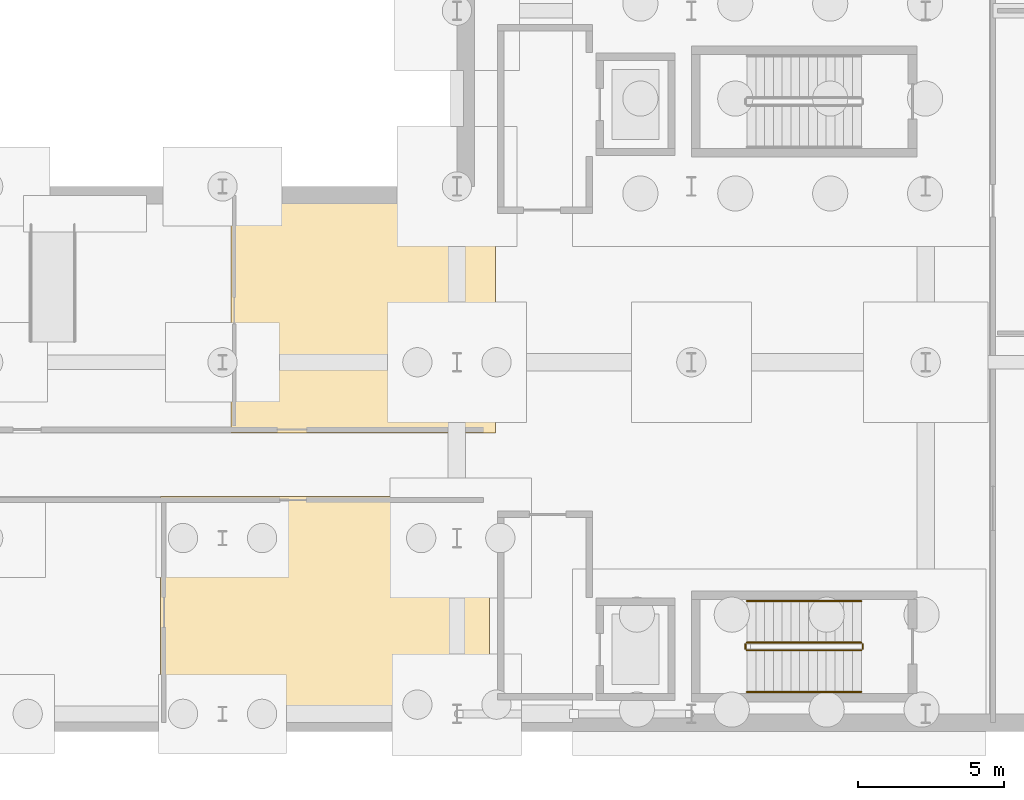
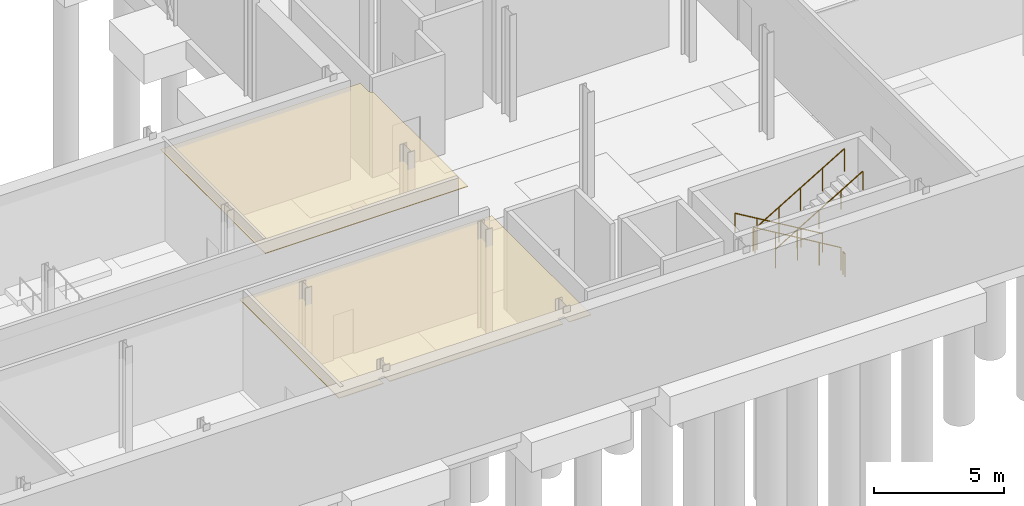
# One storey, part 44 of 47: 6 railings, 2 coverings.
"""IFC4 building model written with IfcOpenShell, lengths in metres."""

from ifc_helpers import new_model, si_unit, direction, frame, origin, origin_2d, place, context, subcontext, project, spatial, polyline, circle, outline, extrude, material, layer, layer_set, type_object, element, save


model = new_model("IFC4")

# Units and contexts
model_context = context("Model", 3, precision=1e-05, world=origin(), true_north=direction((0.0, 1.0)))
body_context = subcontext(model_context, "Body", "Model", "MODEL_VIEW")
ifc_project = project(units=[si_unit("LENGTHUNIT", "METRE"), si_unit("AREAUNIT", "SQUARE_METRE"), si_unit("VOLUMEUNIT", "CUBIC_METRE"), si_unit("PLANEANGLEUNIT", "RADIAN"), si_unit("MASSUNIT", "GRAM", prefix="KILO")], contexts=[model_context])

# Site, building, storey
site_placement = place(None, origin())
site = spatial("IfcSite", under=ifc_project, at=site_placement, CompositionType="ELEMENT")
building_placement = place(site_placement, origin())
building = spatial("IfcBuilding", under=site, at=building_placement, Name="Cymarion Research Institute", CompositionType="ELEMENT")
storey_placement = place(building_placement, frame((0.0, 0.0, -5.0)))
storey = spatial("IfcBuildingStorey", under=building, at=storey_placement, Name="B1", CompositionType="ELEMENT", Elevation=-5.0)

# Coverings
ifc_material_1 = material(Name="Micro-perforated mineral acoustic ceiling tile", Category="gypsum")
ifc_layer = layer(ifc_material_1, 0.030029296875)
ifc_layer_set = layer_set([ifc_layer], Name="Micro-perforated mineral acoustic ceiling tile")
covering_type = type_object("IfcCoveringType", Name="ACOUSTIC MICRO-PERFORATED SUSPENDED CEILING CLG-01", PredefinedType="CEILING", material=ifc_layer_set)
covering_1_placement = place(storey_placement, frame((0.0, 0.0, 4.14990234375)))
element("IfcCovering", 1, at=covering_1_placement, inside=storey, type_object=covering_type, Name="B1 B1 Accessible Staff Restroom and Shower acoustic ceiling", PredefinedType="CEILING", context=body_context, shape_type="SweptSolid", body=[
    extrude(outline(polyline([(139.715087890625, 12.9150390625), (139.715087890625, 5.235107421875), (138.735107421875, 5.235107421875), (138.735107421875, 5.635009765625), (138.465087890625, 5.635009765625), (138.465087890625, 5.235107421875), (130.735107421875, 5.235107421875), (130.735107421875, 5.635009765625), (130.465087890625, 5.635009765625), (130.465087890625, 5.235107421875), (128.485107421875, 5.235107421875), (128.485107421875, 12.9150390625), (139.715087890625, 12.9150390625)])), origin(), (0.0, 0.0, 1.0), 0.030029296875),
])
covering_2_placement = place(storey_placement, frame((0.0, 0.0, 4.14990234375)))
element("IfcCovering", 2, at=covering_2_placement, inside=storey, type_object=covering_type, Name="B1 B1 Research Group Seminar & Data Review Room acoustic ceiling", PredefinedType="CEILING", context=body_context, shape_type="SweptSolid", body=[
    extrude(outline(polyline([(139.780029296875, 23.1650390625), (139.780029296875, 22.580078125), (139.781005859375, 22.560302734375), (139.78369140625, 22.541015625), (139.78857421875, 22.52197265625), (139.795166015625, 22.50341796875), (139.8037109375, 22.485595703125), (139.813720703125, 22.468994140625), (139.825439453125, 22.453125), (139.838623046875, 22.438720703125), (139.85302734375, 22.42529296875), (139.868896484375, 22.413818359375), (139.8857421875, 22.403564453125), (139.903564453125, 22.395263671875), (139.9150390625, 22.39111328125), (139.9150390625, 15.0849609375), (130.885009765625, 15.0849609375), (130.885009765625, 23.1650390625), (139.780029296875, 23.1650390625)])), origin(), (0.0, 0.0, 1.0), 0.030029296875),
])

# Railings
ifc_material_2 = material(Name="Steel S355", Category="steel")
railing_type_1 = type_object("IfcRailingType", Name="PAINTED STEEL STAIR GUARDRAIL GR1 1100MM", PredefinedType="GUARDRAIL", material=ifc_material_2)
railing_1_placement = place(storey_placement, frame((152.39990234375, 7.929931640625, 0.178466796875)))
element("IfcRailing", 3, at=railing_1_placement, inside=storey, type_object=railing_type_1, Name="B1 ST1 stair guard 1", PredefinedType="GUARDRAIL", context=body_context, shape_type="SweptSolid", body=[
    extrude(circle(Radius=0.02392578125, at=origin_2d()), frame((0.0, 0.0, 1.076171875), z_axis=(-0.85927712236, 0.0, 0.511510339083), x_axis=(0.0, -1.0, 0.0)), (0.0, 0.0, 1.0), 4.53857421875),
    extrude(circle(Radius=0.02099609375, at=origin_2d()), origin(), (0.0, 0.0, 1.0), 1.052001953125),
    extrude(circle(Radius=0.02099609375, at=origin_2d()), frame((-0.97509765625, 0.0, 0.580322265625)), (0.0, 0.0, 1.0), 1.052001953125),
    extrude(circle(Radius=0.02099609375, at=origin_2d()), frame((-1.949951171875, 0.0, 1.16064453125)), (0.0, 0.0, 1.0), 1.052001953125),
    extrude(circle(Radius=0.02099609375, at=origin_2d()), frame((-2.9248046875, 0.0, 1.7412109375)), (0.0, 0.0, 1.0), 1.052001953125),
    extrude(circle(Radius=0.02099609375, at=origin_2d()), frame((-3.89990234375, 0.0, 2.321533203125)), (0.0, 0.0, 1.0), 1.052001953125),
])
railing_2_placement = place(storey_placement, frame((148.449951171875, 7.8798828125, 2.5)))
element("IfcRailing", 4, at=railing_2_placement, inside=storey, type_object=railing_type_1, Name="B1 ST1 stair guard 2", PredefinedType="GUARDRAIL", context=body_context, shape_type="SweptSolid", body=[
    extrude(circle(Radius=0.02392578125, at=origin_2d()), frame((0.0, 0.0, 1.076171875), z_axis=(0.0, -1.0, 0.0), x_axis=(1.0, 0.0, 0.0)), (0.0, 0.0, 1.0), 0.159912109375),
    extrude(circle(Radius=0.02099609375, at=origin_2d()), origin(), (0.0, 0.0, 1.0), 1.052001953125),
    extrude(circle(Radius=0.02099609375, at=origin_2d()), frame((0.0, -0.159912109375, 0.0)), (0.0, 0.0, 1.0), 1.052001953125),
])
railing_3_placement = place(storey_placement, frame((148.5, 7.669921875, 2.678466796875)))
element("IfcRailing", 5, at=railing_3_placement, inside=storey, type_object=railing_type_1, Name="B1 ST1 stair guard 3", PredefinedType="GUARDRAIL", context=body_context, shape_type="SweptSolid", body=[
    extrude(circle(Radius=0.02392578125, at=origin_2d()), frame((0.0, 0.0, 1.076171875), z_axis=(0.85927712236, 0.0, 0.511510339083), x_axis=(0.0, 1.0, 0.0)), (0.0, 0.0, 1.0), 4.53857421875),
    extrude(circle(Radius=0.02099609375, at=origin_2d()), origin(), (0.0, 0.0, 1.0), 1.052001953125),
    extrude(circle(Radius=0.02099609375, at=origin_2d()), frame((0.97509765625, 0.0, 0.580322265625)), (0.0, 0.0, 1.0), 1.052001953125),
    extrude(circle(Radius=0.02099609375, at=origin_2d()), frame((1.949951171875, 0.0, 1.16064453125)), (0.0, 0.0, 1.0), 1.052001953125),
    extrude(circle(Radius=0.02099609375, at=origin_2d()), frame((2.9248046875, 0.0, 1.7412109375)), (0.0, 0.0, 1.0), 1.052001953125),
    extrude(circle(Radius=0.02099609375, at=origin_2d()), frame((3.89990234375, 0.0, 2.321533203125)), (0.0, 0.0, 1.0), 1.052001953125),
])
railing_4_placement = place(storey_placement, frame((152.449951171875, 7.8798828125, 0.0)))
element("IfcRailing", 6, at=railing_4_placement, inside=storey, type_object=railing_type_1, Name="B1 ST1 stair guard 4", PredefinedType="GUARDRAIL", context=body_context, shape_type="SweptSolid", body=[
    extrude(circle(Radius=0.02392578125, at=origin_2d()), frame((0.0, 0.0, 1.076171875), z_axis=(0.0, -1.0, 0.0), x_axis=(1.0, 0.0, 0.0)), (0.0, 0.0, 1.0), 0.159912109375),
    extrude(circle(Radius=0.02099609375, at=origin_2d()), origin(), (0.0, 0.0, 1.0), 1.052001953125),
    extrude(circle(Radius=0.02099609375, at=origin_2d()), frame((0.0, -0.159912109375, 0.0)), (0.0, 0.0, 1.0), 1.052001953125),
])
railing_type_2 = type_object("IfcRailingType", Name="STAINLESS STEEL STAIR HANDRAIL HR1 900MM", PredefinedType="HANDRAIL", material=ifc_material_2)
railing_5_placement = place(storey_placement, frame((152.39990234375, 9.35009765625, 0.178466796875)))
element("IfcRailing", 7, at=railing_5_placement, inside=storey, type_object=railing_type_2, Name="B1 ST1 stair handrail 1", PredefinedType="HANDRAIL", context=body_context, shape_type="SweptSolid", body=[
    extrude(circle(Radius=0.02392578125, at=origin_2d()), frame((0.0, 0.0, 0.8759765625), z_axis=(-0.85927712236, 0.0, 0.511510339083), x_axis=(0.0, -1.0, 0.0)), (0.0, 0.0, 1.0), 4.53857421875),
    extrude(circle(Radius=0.02099609375, at=origin_2d()), origin(), (0.0, 0.0, 1.0), 0.851806640625),
    extrude(circle(Radius=0.02099609375, at=origin_2d()), frame((-0.97509765625, 0.0, 0.580322265625)), (0.0, 0.0, 1.0), 0.851806640625),
    extrude(circle(Radius=0.02099609375, at=origin_2d()), frame((-1.949951171875, 0.0, 1.16064453125)), (0.0, 0.0, 1.0), 0.851806640625),
    extrude(circle(Radius=0.02099609375, at=origin_2d()), frame((-2.9248046875, 0.0, 1.7412109375)), (0.0, 0.0, 1.0), 0.851806640625),
    extrude(circle(Radius=0.02099609375, at=origin_2d()), frame((-3.89990234375, 0.0, 2.321533203125)), (0.0, 0.0, 1.0), 0.851806640625),
])
railing_6_placement = place(storey_placement, frame((148.5, 6.25, 2.678466796875)))
element("IfcRailing", 8, at=railing_6_placement, inside=storey, type_object=railing_type_2, Name="B1 ST1 stair handrail 2", PredefinedType="HANDRAIL", context=body_context, shape_type="SweptSolid", body=[
    extrude(circle(Radius=0.02392578125, at=origin_2d()), frame((0.0, 0.0, 0.8759765625), z_axis=(0.85927712236, 0.0, 0.511510339083), x_axis=(0.0, 1.0, 0.0)), (0.0, 0.0, 1.0), 4.53857421875),
    extrude(circle(Radius=0.02099609375, at=origin_2d()), origin(), (0.0, 0.0, 1.0), 0.851806640625),
    extrude(circle(Radius=0.02099609375, at=origin_2d()), frame((0.97509765625, 0.0, 0.580322265625)), (0.0, 0.0, 1.0), 0.851806640625),
    extrude(circle(Radius=0.02099609375, at=origin_2d()), frame((1.949951171875, 0.0, 1.16064453125)), (0.0, 0.0, 1.0), 0.851806640625),
    extrude(circle(Radius=0.02099609375, at=origin_2d()), frame((2.9248046875, 0.0, 1.7412109375)), (0.0, 0.0, 1.0), 0.851806640625),
    extrude(circle(Radius=0.02099609375, at=origin_2d()), frame((3.89990234375, 0.0, 2.321533203125)), (0.0, 0.0, 1.0), 0.851806640625),
])

save(model, "model.ifc")
